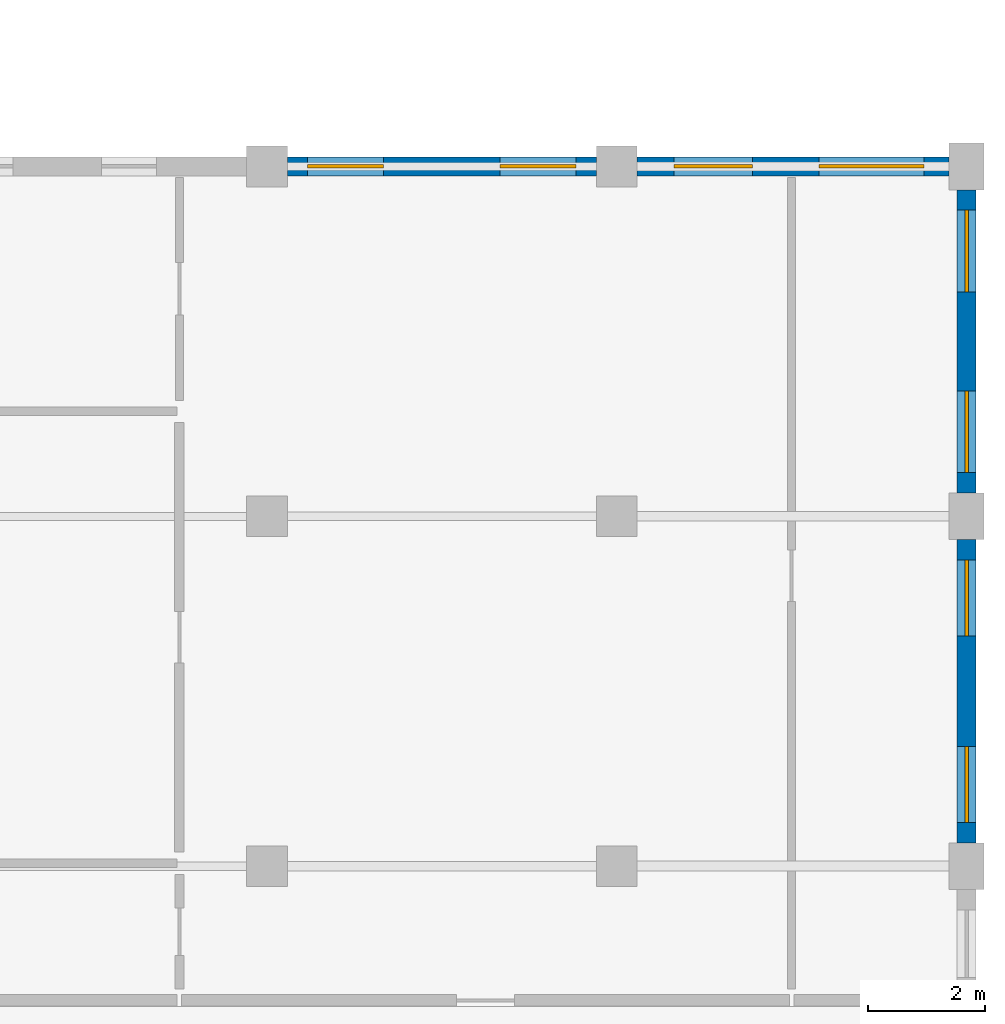
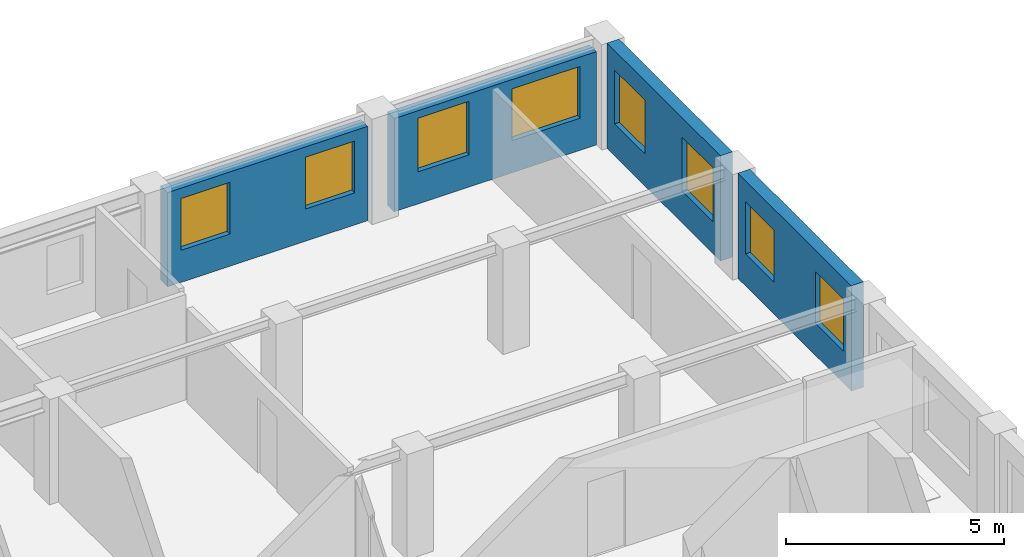
# One storey, part 115 of 137: 8 windows, 4 walls, 8 openings.
"""IFC4 building model written with IfcOpenShell, lengths in metres."""

from ifc_helpers import new_model, si_unit, direction, frame, frame_2d, origin, place, context, subcontext, project, spatial, rectangle, extrude, material, layer, layer_set, type_object, element, fill, save


model = new_model("IFC4")

# Units and contexts
model_context = context("Model", 3, precision=1e-05, world=origin(), true_north=direction((0.0, 1.0)))
body_context = subcontext(model_context, "Body", "Model", "MODEL_VIEW")
ifc_project = project(units=[si_unit("LENGTHUNIT", "METRE"), si_unit("AREAUNIT", "SQUARE_METRE"), si_unit("VOLUMEUNIT", "CUBIC_METRE"), si_unit("PLANEANGLEUNIT", "RADIAN"), si_unit("MASSUNIT", "GRAM", prefix="KILO"), si_unit("POWERUNIT", "WATT"), si_unit("THERMODYNAMICTEMPERATUREUNIT", "KELVIN")], contexts=[model_context])

# Site, building, storey
site_placement = place(None, origin())
site = spatial("IfcSite", under=ifc_project, at=site_placement, CompositionType="ELEMENT")
building_placement = place(site_placement, origin())
building = spatial("IfcBuilding", under=site, at=building_placement, Name="Ruvembo Vaulted Housing Court", CompositionType="ELEMENT")
storey_placement = place(building_placement, frame((0.0, 0.0, 4.5)))
storey = spatial("IfcBuildingStorey", under=building, at=storey_placement, Name="L01", CompositionType="ELEMENT", Elevation=4.5)

# Wall, openings, windows
ifc_material_1 = material(Name="Rendered Masonry 320", Category="masonry")
ifc_layer = layer(ifc_material_1, 0.320068359375, Name="Rendered Masonry 320")
ifc_layer_set = layer_set([ifc_layer], Name="Rendered Masonry 320")
wall_type = type_object("IfcWallType", Name="WL-EXT-320", PredefinedType="STANDARD", material=ifc_layer_set)
wall_1_placement = place(storey_placement, frame((186.0, 96.39990234375, 0.0), z_axis=(0.0, 0.0, 1.0), x_axis=(0.0, 1.0, 0.0)))
wall_1 = element("IfcWall", 1, at=wall_1_placement, inside=storey, type_object=wall_type, Name="Block D L01 Exterior Wall EAST #5", PredefinedType="STANDARD", context=body_context, shape_type="SweptSolid", body=[
    extrude(rectangle(XDim=5.2001953125, YDim=0.320068359375, at=frame_2d((2.60009765625, 0.0))), origin(), (0.0, 0.0, 1.0), 2.945068359375),
])
opening_1_placement = place(wall_1_placement, frame((0.35009765625, 0.0, 0.89990234375)))
opening_1 = element("IfcOpeningElement", 2, at=opening_1_placement, cuts=wall_1, Name="Opening W15", PredefinedType="OPENING", context=body_context, shape_type="SweptSolid", body=[
    extrude(rectangle(XDim=1.300048828125, YDim=1.449951171875, at=frame_2d((0.64990234375, 0.72509765625))), frame((0.0, 0.169921875, 0.0), z_axis=(0.0, -1.0, 0.0), x_axis=(1.0, 0.0, 0.0)), (0.0, 0.0, 1.0), 0.340087890625),
])
opening_2_placement = place(wall_1_placement, frame((3.550048828125, 0.0, 0.89990234375)))
opening_2 = element("IfcOpeningElement", 3, at=opening_2_placement, cuts=wall_1, Name="Opening W15", PredefinedType="OPENING", context=body_context, shape_type="SweptSolid", body=[
    extrude(rectangle(XDim=1.300048828125, YDim=1.449951171875, at=frame_2d((0.64990234375, 0.72509765625))), frame((0.0, 0.169921875, 0.0), z_axis=(0.0, -1.0, 0.0), x_axis=(1.0, 0.0, 0.0)), (0.0, 0.0, 1.0), 0.340087890625),
])
ifc_material_2 = material(Name="Double Solar-Control Glazing in Aluminium Frame", Category="aluminium")
window_type_1 = type_object("IfcWindowType", Name="WIN-1300x1450", PartitioningType="SINGLE_PANEL", PredefinedType="WINDOW", material=ifc_material_2)
window_1_placement = place(opening_1_placement, origin())
window_1 = element("IfcWindow", 4, at=window_1_placement, inside=storey, type_object=window_type_1, Name="Block D L01 Window #1507", OverallHeight=1.449951171875, OverallWidth=1.300048828125, PartitioningType="SINGLE_PANEL", PredefinedType="WINDOW", context=body_context, shape_type="SweptSolid", body=[
    extrude(rectangle(XDim=1.300048828125, YDim=1.449951171875, at=frame_2d((0.64990234375, 0.72509765625))), frame((0.0, 0.030029296875, 0.0), z_axis=(0.0, -1.0, 0.0), x_axis=(1.0, 0.0, 0.0)), (0.0, 0.0, 1.0), 0.06005859375),
])
fill(opening_1, window_1)
window_2_placement = place(opening_2_placement, origin())
window_2 = element("IfcWindow", 5, at=window_2_placement, inside=storey, type_object=window_type_1, Name="Block D L01 Window #1508", OverallHeight=1.449951171875, OverallWidth=1.300048828125, PartitioningType="SINGLE_PANEL", PredefinedType="WINDOW", context=body_context, shape_type="SweptSolid", body=[
    extrude(rectangle(XDim=1.300048828125, YDim=1.449951171875, at=frame_2d((0.64990234375, 0.72509765625))), frame((0.0, 0.030029296875, 0.0), z_axis=(0.0, -1.0, 0.0), x_axis=(1.0, 0.0, 0.0)), (0.0, 0.0, 1.0), 0.06005859375),
])
fill(opening_2, window_2)

wall_2_placement = place(storey_placement, frame((186.0, 102.39990234375, 0.0), z_axis=(0.0, 0.0, 1.0), x_axis=(0.0, 1.0, 0.0)))
wall_2 = element("IfcWall", 6, at=wall_2_placement, inside=storey, type_object=wall_type, Name="Block D L01 Exterior Wall EAST #6", PredefinedType="STANDARD", context=body_context, shape_type="SweptSolid", body=[
    extrude(rectangle(XDim=5.2001953125, YDim=0.320068359375, at=frame_2d((2.60009765625, 0.0))), origin(), (0.0, 0.0, 1.0), 2.945068359375),
])
opening_3_placement = place(wall_2_placement, frame((0.35009765625, 0.0, 0.89990234375)))
opening_3 = element("IfcOpeningElement", 7, at=opening_3_placement, cuts=wall_2, Name="Opening W17", PredefinedType="OPENING", context=body_context, shape_type="SweptSolid", body=[
    extrude(rectangle(XDim=1.39990234375, YDim=1.5, at=frame_2d((0.699951171875, 0.75))), frame((0.0, 0.169921875, 0.0), z_axis=(0.0, -1.0, 0.0), x_axis=(1.0, 0.0, 0.0)), (0.0, 0.0, 1.0), 0.340087890625),
])
opening_4_placement = place(wall_2_placement, frame((3.449951171875, 0.0, 0.89990234375)))
opening_4 = element("IfcOpeningElement", 8, at=opening_4_placement, cuts=wall_2, Name="Opening W17", PredefinedType="OPENING", context=body_context, shape_type="SweptSolid", body=[
    extrude(rectangle(XDim=1.39990234375, YDim=1.5, at=frame_2d((0.699951171875, 0.75))), frame((0.0, 0.169921875, 0.0), z_axis=(0.0, -1.0, 0.0), x_axis=(1.0, 0.0, 0.0)), (0.0, 0.0, 1.0), 0.340087890625),
])
window_type_2 = type_object("IfcWindowType", Name="WIN-1400x1500", PartitioningType="SINGLE_PANEL", PredefinedType="WINDOW", material=ifc_material_2)
window_3_placement = place(opening_3_placement, origin())
window_3 = element("IfcWindow", 9, at=window_3_placement, inside=storey, type_object=window_type_2, Name="Block D L01 Window #1509", OverallHeight=1.5, OverallWidth=1.39990234375, PartitioningType="SINGLE_PANEL", PredefinedType="WINDOW", context=body_context, shape_type="SweptSolid", body=[
    extrude(rectangle(XDim=1.39990234375, YDim=1.5, at=frame_2d((0.699951171875, 0.75))), frame((0.0, 0.030029296875, 0.0), z_axis=(0.0, -1.0, 0.0), x_axis=(1.0, 0.0, 0.0)), (0.0, 0.0, 1.0), 0.06005859375),
])
fill(opening_3, window_3)
window_4_placement = place(opening_4_placement, origin())
window_4 = element("IfcWindow", 10, at=window_4_placement, inside=storey, type_object=window_type_2, Name="Block D L01 Window #1510", OverallHeight=1.5, OverallWidth=1.39990234375, PartitioningType="SINGLE_PANEL", PredefinedType="WINDOW", context=body_context, shape_type="SweptSolid", body=[
    extrude(rectangle(XDim=1.39990234375, YDim=1.5, at=frame_2d((0.699951171875, 0.75))), frame((0.0, 0.030029296875, 0.0), z_axis=(0.0, -1.0, 0.0), x_axis=(1.0, 0.0, 0.0)), (0.0, 0.0, 1.0), 0.06005859375),
])
fill(opening_4, window_4)

wall_3_placement = place(storey_placement, frame((185.699951171875, 108.0, 0.0), z_axis=(0.0, 0.0, 1.0), x_axis=(-1.0, 0.0, 0.0)))
wall_3 = element("IfcWall", 11, at=wall_3_placement, inside=storey, type_object=wall_type, Name="Block D L01 Exterior Wall STREET #1", PredefinedType="STANDARD", context=body_context, shape_type="SweptSolid", body=[
    extrude(rectangle(XDim=5.349853515625, YDim=0.320068359375, at=frame_2d((2.6748046875, 0.0))), origin(), (0.0, 0.0, 1.0), 2.60791015625),
])
opening_5_placement = place(wall_3_placement, frame((0.429931640625, 0.0, 0.89990234375)))
opening_5 = element("IfcOpeningElement", 12, at=opening_5_placement, cuts=wall_3, Name="Opening W22", PredefinedType="OPENING", context=body_context, shape_type="SweptSolid", body=[
    extrude(rectangle(XDim=1.800048828125, YDim=1.449951171875, at=frame_2d((0.89990234375, 0.72509765625))), frame((0.0, 0.169921875, 0.0), z_axis=(0.0, -1.0, 0.0), x_axis=(1.0, 0.0, 0.0)), (0.0, 0.0, 1.0), 0.340087890625),
])
opening_6_placement = place(wall_3_placement, frame((3.3701171875, 0.0, 0.89990234375)))
opening_6 = element("IfcOpeningElement", 13, at=opening_6_placement, cuts=wall_3, Name="Opening W16", PredefinedType="OPENING", context=body_context, shape_type="SweptSolid", body=[
    extrude(rectangle(XDim=1.35009765625, YDim=1.5, at=frame_2d((0.675048828125, 0.75))), frame((0.0, 0.169921875, 0.0), z_axis=(0.0, -1.0, 0.0), x_axis=(1.0, 0.0, 0.0)), (0.0, 0.0, 1.0), 0.340087890625),
])
window_type_3 = type_object("IfcWindowType", Name="WIN-1350x1500", PartitioningType="SINGLE_PANEL", PredefinedType="WINDOW", material=ifc_material_2)
window_5_placement = place(opening_6_placement, origin())
window_5 = element("IfcWindow", 14, at=window_5_placement, inside=storey, type_object=window_type_3, Name="Block D L01 Window #1512", OverallHeight=1.5, OverallWidth=1.35009765625, PartitioningType="SINGLE_PANEL", PredefinedType="WINDOW", context=body_context, shape_type="SweptSolid", body=[
    extrude(rectangle(XDim=1.35009765625, YDim=1.5, at=frame_2d((0.675048828125, 0.75))), frame((0.0, 0.030029296875, 0.0), z_axis=(0.0, -1.0, 0.0), x_axis=(1.0, 0.0, 0.0)), (0.0, 0.0, 1.0), 0.06005859375),
])
fill(opening_6, window_5)
window_type_4 = type_object("IfcWindowType", Name="WIN-1800x1450", PartitioningType="SINGLE_PANEL", PredefinedType="WINDOW", material=ifc_material_2)
window_6_placement = place(opening_5_placement, origin())
window_6 = element("IfcWindow", 15, at=window_6_placement, inside=storey, type_object=window_type_4, Name="Block D L01 Window #1511", OverallHeight=1.449951171875, OverallWidth=1.800048828125, PartitioningType="SINGLE_PANEL", PredefinedType="WINDOW", context=body_context, shape_type="SweptSolid", body=[
    extrude(rectangle(XDim=1.800048828125, YDim=1.449951171875, at=frame_2d((0.89990234375, 0.72509765625))), frame((0.0, 0.030029296875, 0.0), z_axis=(0.0, -1.0, 0.0), x_axis=(1.0, 0.0, 0.0)), (0.0, 0.0, 1.0), 0.06005859375),
])
fill(opening_5, window_6)

wall_4_placement = place(storey_placement, frame((179.64990234375, 108.0, 0.0), z_axis=(0.0, 0.0, 1.0), x_axis=(-1.0, 0.0, 0.0)))
wall_4 = element("IfcWall", 16, at=wall_4_placement, inside=storey, type_object=wall_type, Name="Block D L01 Exterior Wall STREET #2", PredefinedType="STANDARD", context=body_context, shape_type="SweptSolid", body=[
    extrude(rectangle(XDim=5.2998046875, YDim=0.320068359375, at=frame_2d((2.64990234375, 0.0))), origin(), (0.0, 0.0, 1.0), 2.637939453125),
])
opening_7_placement = place(wall_4_placement, frame((0.35009765625, 0.0, 0.89990234375)))
opening_7 = element("IfcOpeningElement", 17, at=opening_7_placement, cuts=wall_4, Name="Opening W15", PredefinedType="OPENING", context=body_context, shape_type="SweptSolid", body=[
    extrude(rectangle(XDim=1.300048828125, YDim=1.449951171875, at=frame_2d((0.64990234375, 0.72509765625))), frame((0.0, 0.169921875, 0.0), z_axis=(0.0, -1.0, 0.0), x_axis=(1.0, 0.0, 0.0)), (0.0, 0.0, 1.0), 0.340087890625),
])
opening_8_placement = place(wall_4_placement, frame((3.64990234375, 0.0, 0.89990234375)))
opening_8 = element("IfcOpeningElement", 18, at=opening_8_placement, cuts=wall_4, Name="Opening W15", PredefinedType="OPENING", context=body_context, shape_type="SweptSolid", body=[
    extrude(rectangle(XDim=1.300048828125, YDim=1.449951171875, at=frame_2d((0.64990234375, 0.72509765625))), frame((0.0, 0.169921875, 0.0), z_axis=(0.0, -1.0, 0.0), x_axis=(1.0, 0.0, 0.0)), (0.0, 0.0, 1.0), 0.340087890625),
])
window_7_placement = place(opening_7_placement, origin())
window_7 = element("IfcWindow", 19, at=window_7_placement, inside=storey, type_object=window_type_1, Name="Block D L01 Window #1513", OverallHeight=1.449951171875, OverallWidth=1.300048828125, PartitioningType="SINGLE_PANEL", PredefinedType="WINDOW", context=body_context, shape_type="SweptSolid", body=[
    extrude(rectangle(XDim=1.300048828125, YDim=1.449951171875, at=frame_2d((0.64990234375, 0.72509765625))), frame((0.0, 0.030029296875, 0.0), z_axis=(0.0, -1.0, 0.0), x_axis=(1.0, 0.0, 0.0)), (0.0, 0.0, 1.0), 0.06005859375),
])
fill(opening_7, window_7)
window_8_placement = place(opening_8_placement, origin())
window_8 = element("IfcWindow", 20, at=window_8_placement, inside=storey, type_object=window_type_1, Name="Block D L01 Window #1514", OverallHeight=1.449951171875, OverallWidth=1.300048828125, PartitioningType="SINGLE_PANEL", PredefinedType="WINDOW", context=body_context, shape_type="SweptSolid", body=[
    extrude(rectangle(XDim=1.300048828125, YDim=1.449951171875, at=frame_2d((0.64990234375, 0.72509765625))), frame((0.0, 0.030029296875, 0.0), z_axis=(0.0, -1.0, 0.0), x_axis=(1.0, 0.0, 0.0)), (0.0, 0.0, 1.0), 0.06005859375),
])
fill(opening_8, window_8)

save(model, "model.ifc")
